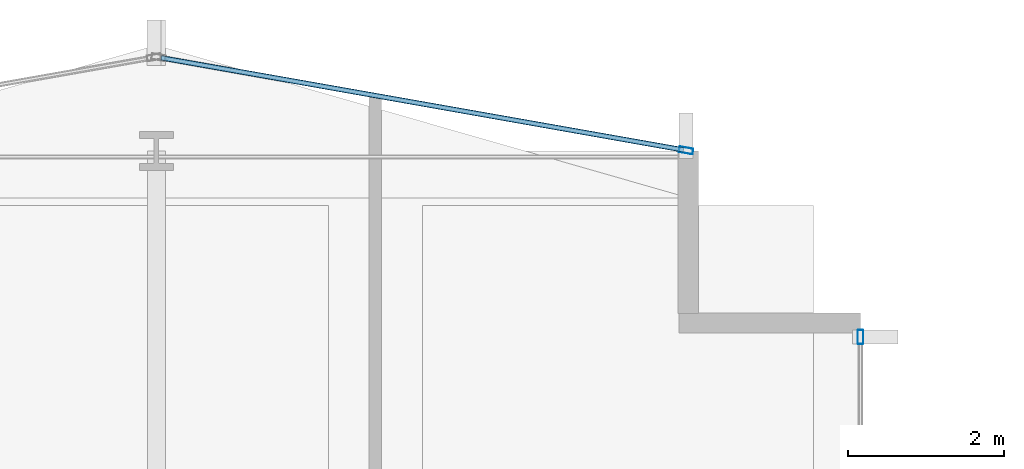
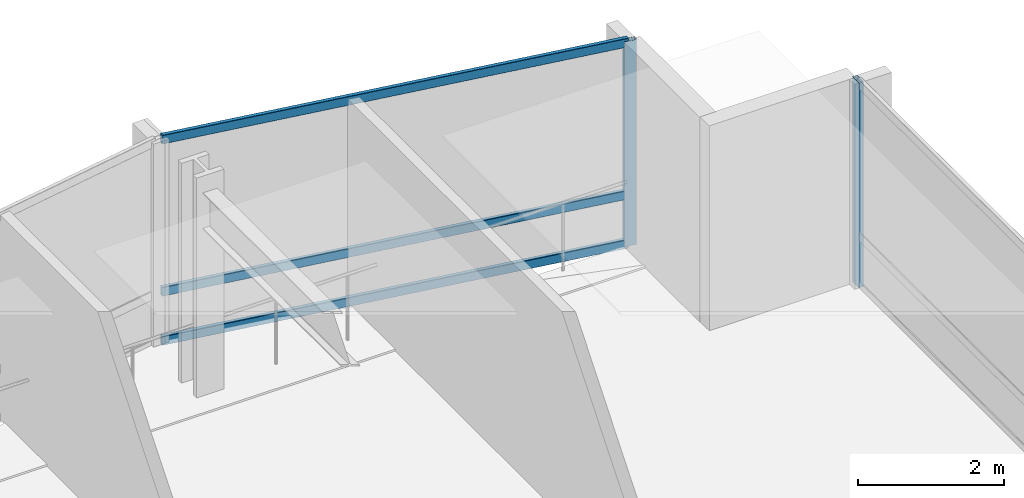
# One storey, part 24 of 34: 5 members, 2 elements without a shape of their own.
"""IFC4 building model written with IfcOpenShell, lengths in metres."""

from ifc_helpers import new_model, si_unit, direction, frame, origin, origin_2d, place, context, subcontext, project, spatial, hollow_rectangle, extrude, material, layer, layer_set, material_profile, profile_set, type_object, element, aggregate, save


model = new_model("IFC4")

# Units and contexts
model_context = context("Model", 3, precision=1e-05, world=origin(), true_north=direction((0.0, 1.0)))
body_context = subcontext(model_context, "Body", "Model", "MODEL_VIEW")
ifc_project = project(units=[si_unit("LENGTHUNIT", "METRE"), si_unit("AREAUNIT", "SQUARE_METRE"), si_unit("VOLUMEUNIT", "CUBIC_METRE"), si_unit("PLANEANGLEUNIT", "RADIAN"), si_unit("MASSUNIT", "GRAM", prefix="KILO")], contexts=[model_context])

# Site, building, storey
site_placement = place(None, origin())
site = spatial("IfcSite", under=ifc_project, at=site_placement, CompositionType="ELEMENT")
building_placement = place(site_placement, origin())
building = spatial("IfcBuilding", under=site, at=building_placement, Name="Solvaryn Broadcast Tower", CompositionType="ELEMENT")
storey_placement = place(building_placement, frame((0.0, 0.0, 39.699951171875)))
storey = spatial("IfcBuildingStorey", under=building, at=storey_placement, Name="L08", CompositionType="ELEMENT", Elevation=39.699951171875)

# Curtain wall, member
ifc_material_1 = material(Name="Aluminium and Terracotta Unitised Curtain Wall", Category="masonry")
ifc_layer = layer(ifc_material_1, 0.199951171875)
ifc_layer_set = layer_set([ifc_layer], Name="CW-SYS2-LOWMID")
curtain_wall_type = type_object("IfcCurtainWallType", Name="CW-SYS2-LOWMID", PredefinedType="NOTDEFINED", material=ifc_layer_set)
curtain_wall_1_placement = place(storey_placement, origin())
curtain_wall_1 = element("IfcCurtainWall", 1, at=curtain_wall_1_placement, inside=storey, type_object=curtain_wall_type, Name="L08 Curtain Wall IV", PredefinedType="NOTDEFINED")
ifc_material_2 = material(Name="Anodised Aluminium 6063-T6", Category="aluminium")
ifc_material_profile_1 = material_profile(ifc_material_2, hollow_rectangle(XDim=0.074951171875, YDim=0.179931640625, WallThickness=0.00390625, InnerFilletRadius=0.00390625, OuterFilletRadius=0.008056640625, at=origin_2d()))
ifc_profile_set_1 = profile_set([ifc_material_profile_1], Name="Anodised Aluminium 6063-T6")
member_type_1 = type_object("IfcMemberType", Name="CW-MUL-180", PredefinedType="MULLION", material=ifc_profile_set_1)
member_1_placement = place(storey_placement, frame((27.0, 51.6201171875, 0.0), z_axis=(0.0, 0.0, 1.0), x_axis=(1.0, 0.0, 0.0)))
member_1 = element("IfcMember", 2, at=member_1_placement, type_object=member_type_1, Name="CWS2 mullion 1", PredefinedType="MULLION", context=body_context, shape_type="SweptSolid", body=[
    extrude(hollow_rectangle(XDim=0.074951171875, YDim=0.179931640625, WallThickness=0.00390625, InnerFilletRadius=0.00390625, OuterFilletRadius=0.008056640625, at=origin_2d()), origin(), (0.0, 0.0, 1.0), 3.420166015625),
])
aggregate(curtain_wall_1, [member_1])

# Curtain wall, members
curtain_wall_2_placement = place(storey_placement, origin())
curtain_wall_2 = element("IfcCurtainWall", 3, at=curtain_wall_2_placement, inside=storey, type_object=curtain_wall_type, Name="L08 Curtain Wall NT1", PredefinedType="NOTDEFINED")
member_2_placement = place(storey_placement, frame((24.7705078125, 54.005126953125, 0.0), z_axis=(0.0, 0.0, 1.0), x_axis=(-0.173785333901, -0.984783558819, 0.0)))
member_2 = element("IfcMember", 4, at=member_2_placement, type_object=member_type_1, Name="CWS2 mullion 1", PredefinedType="MULLION", context=body_context, shape_type="SweptSolid", body=[
    extrude(hollow_rectangle(XDim=0.074951171875, YDim=0.179931640625, WallThickness=0.00390625, InnerFilletRadius=0.00390625, OuterFilletRadius=0.008056640625, at=origin_2d()), origin(), (0.0, 0.0, 1.0), 3.420166015625),
])
ifc_material_3 = material(Name="Anodised Aluminium 6063-T6", Category="aluminium")
ifc_material_profile_2 = material_profile(ifc_material_3, hollow_rectangle(XDim=0.06494140625, YDim=0.14990234375, WallThickness=0.00390625, InnerFilletRadius=0.00390625, OuterFilletRadius=0.008056640625, at=origin_2d()))
ifc_profile_set_2 = profile_set([ifc_material_profile_2], Name="Anodised Aluminium 6063-T6")
member_type_2 = type_object("IfcMemberType", Name="CW-TRN-150", PredefinedType="USERDEFINED", material=ifc_profile_set_2)
member_3_placement = place(storey_placement, frame((24.740966796875, 54.010498046875, 0.030029296875), z_axis=(-0.984788629673, 0.173756596613, 0.0), x_axis=(-0.173756596613, -0.984788629673, 0.0)))
member_3 = element("IfcMember", 5, at=member_3_placement, type_object=member_type_2, Name="CWS2 transom 1.1", ObjectType="TRANSOM", PredefinedType="USERDEFINED", context=body_context, shape_type="SweptSolid", body=[
    extrude(hollow_rectangle(XDim=0.06494140625, YDim=0.14990234375, WallThickness=0.00390625, InnerFilletRadius=0.00390625, OuterFilletRadius=0.008056640625, at=origin_2d()), origin(), (0.0, 0.0, 1.0), 6.78515625),
])
member_4_placement = place(storey_placement, frame((24.740966796875, 54.010498046875, 0.85009765625), z_axis=(-0.984788629673, 0.173756596613, 0.0), x_axis=(-0.173756596613, -0.984788629673, 0.0)))
member_4 = element("IfcMember", 6, at=member_4_placement, type_object=member_type_2, Name="CWS2 transom 1.2", ObjectType="TRANSOM", PredefinedType="USERDEFINED", context=body_context, shape_type="SweptSolid", body=[
    extrude(hollow_rectangle(XDim=0.06494140625, YDim=0.14990234375, WallThickness=0.00390625, InnerFilletRadius=0.00390625, OuterFilletRadius=0.008056640625, at=origin_2d()), origin(), (0.0, 0.0, 1.0), 6.78515625),
])
member_5_placement = place(storey_placement, frame((24.740966796875, 54.010498046875, 3.39013671875), z_axis=(-0.984788629673, 0.173756596613, 0.0), x_axis=(-0.173756596613, -0.984788629673, 0.0)))
member_5 = element("IfcMember", 7, at=member_5_placement, type_object=member_type_2, Name="CWS2 transom 1.3", ObjectType="TRANSOM", PredefinedType="USERDEFINED", context=body_context, shape_type="SweptSolid", body=[
    extrude(hollow_rectangle(XDim=0.06494140625, YDim=0.14990234375, WallThickness=0.00390625, InnerFilletRadius=0.00390625, OuterFilletRadius=0.008056640625, at=origin_2d()), origin(), (0.0, 0.0, 1.0), 6.78515625),
])
aggregate(curtain_wall_2, [member_2, member_3, member_4, member_5])

save(model, "model.ifc")
